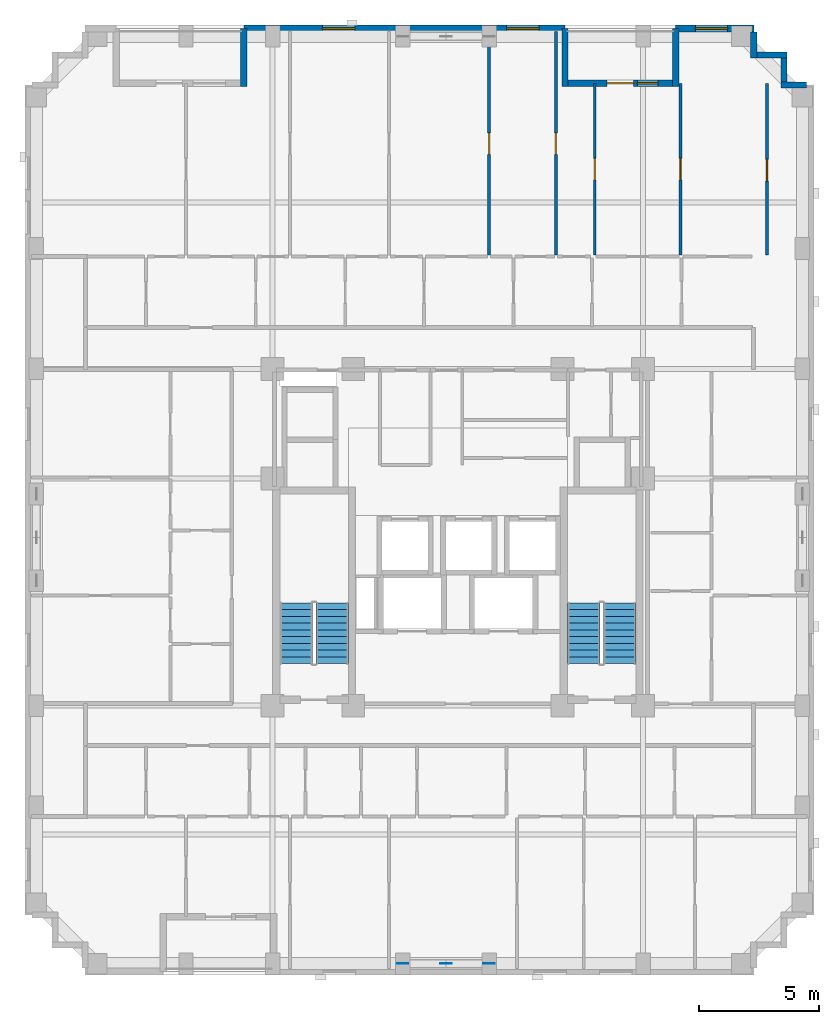
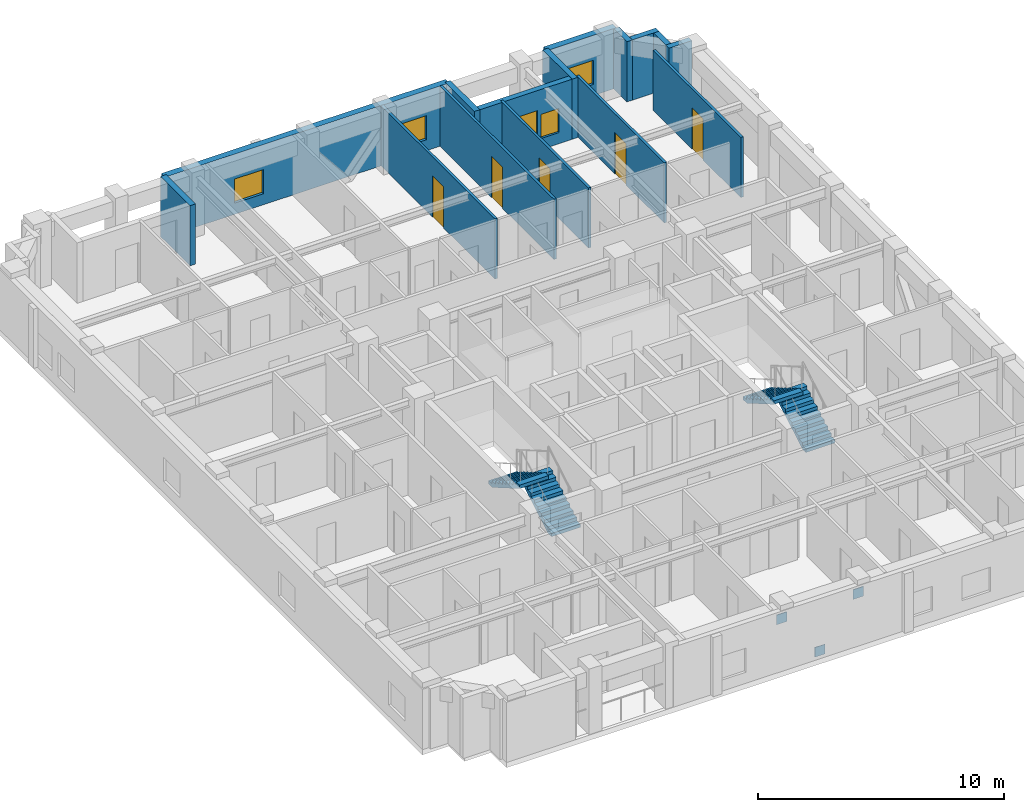
# One storey, part 8 of 11: 15 walls, 6 doors, 4 stair flights, 4 windows, 3 discrete accessories, 10 openings, 2 elements without a shape of their own.
"""IFC4 building model written with IfcOpenShell, lengths in metres."""

from ifc_helpers import new_model, si_unit, derived_unit, direction, frame, frame_2d, origin, origin_2d, place, context, subcontext, project, spatial, polyline, rectangle, outline, extrude, material, layer, layer_set, type_object, element, fill, aggregate, save


model = new_model("IFC4")

# Units and contexts
model_context = context("Model", 3, precision=1e-05, world=origin(), true_north=direction((0.0, 1.0)))
body_context = subcontext(model_context, "Body", "Model", "MODEL_VIEW")
ifc_project = project(units=[si_unit("LENGTHUNIT", "METRE"), si_unit("AREAUNIT", "SQUARE_METRE"), si_unit("VOLUMEUNIT", "CUBIC_METRE"), si_unit("PLANEANGLEUNIT", "RADIAN"), si_unit("MASSUNIT", "GRAM", prefix="KILO"), derived_unit("THERMALTRANSMITTANCEUNIT", [(si_unit("MASSUNIT", "GRAM", prefix="KILO"), 1), (si_unit("TIMEUNIT", "SECOND"), -3), (si_unit("THERMODYNAMICTEMPERATUREUNIT", "KELVIN"), -1)])], contexts=[model_context])

# Site, building, storey
site_placement = place(None, origin())
site = spatial("IfcSite", under=ifc_project, at=site_placement, CompositionType="ELEMENT")
building_placement = place(site_placement, origin())
building = spatial("IfcBuilding", under=site, at=building_placement, Name="Korrvale Station Residences", CompositionType="ELEMENT")
storey_placement = place(building_placement, frame((0.0, 0.0, 150.39990234375)))
storey = spatial("IfcBuildingStorey", under=building, at=storey_placement, Name="L43", CompositionType="ELEMENT", Elevation=150.39990234375)

# Walls
ifc_material_1 = material(Name="Precast concrete C45/55", Category="concrete")
ifc_layer_1 = layer(ifc_material_1, 0.260009765625, Name="Precast concrete C45/55")
ifc_layer_set_1 = layer_set([ifc_layer_1], Name="Precast concrete C45/55")
wall_type_1 = type_object("IfcWallType", Name="WAL-EXT-LOG260", PredefinedType="SOLIDWALL", material=ifc_layer_set_1)
for number, where, z_axis, x_axis, name in (
    (1, (16.60009765625, 40.739990234375, 0.0), (0.0, 0.0, 1.0), (0.0, 1.0, 0.0), "L43 Recessed Loggia Wall BAL-L43-N2-R"),
    (2, (29.949951171875, 43.139892578125, 0.0), (0.0, 0.0, 1.0), (0.0, -1.0, 0.0), "L43 Recessed Loggia Wall BAL-L43-N1-L"),
):
    element("IfcWall", number, at=place(storey_placement, frame(where, z_axis=z_axis, x_axis=x_axis)), inside=storey, type_object=wall_type_1, Name=name, PredefinedType="SOLIDWALL", context=body_context, shape_type="SweptSolid", body=[
        extrude(rectangle(XDim=2.39990234375, YDim=0.260009765625, at=frame_2d((1.199951171875, 0.0))), origin(), (0.0, 0.0, 1.0), 2.989990234375),
    ])

# Wall, openings, door, window
wall_1_placement = place(storey_placement, frame((30.083984375, 40.8701171875, 0.0), z_axis=(0.0, 0.0, 1.0), x_axis=(1.0, 0.0, 0.0)))
wall_1 = element("IfcWall", 3, at=wall_1_placement, inside=storey, type_object=wall_type_1, Name="L43 Recessed Loggia Wall BAL-L43-N1-B", PredefinedType="SOLIDWALL", context=body_context, shape_type="SweptSolid", body=[
    extrude(rectangle(XDim=4.33203125, YDim=0.260009765625, at=frame_2d((2.166015625, 0.0))), origin(), (0.0, 0.0, 1.0), 2.989990234375),
])
opening_1_placement = place(wall_1_placement, frame((1.615966796875, 0.0, 0.0)))
opening_1 = element("IfcOpeningElement", 4, at=opening_1_placement, cuts=wall_1, Name="Opening BD-01", PredefinedType="OPENING", context=body_context, shape_type="SweptSolid", body=[
    extrude(rectangle(XDim=1.10009765625, YDim=2.0, at=frame_2d((0.550048828125, 1.0))), frame((0.0, 0.14013671875, 0.0), z_axis=(0.0, -1.0, 0.0), x_axis=(1.0, 0.0, 0.0)), (0.0, 0.0, 1.0), 0.280029296875),
])
opening_2_placement = place(wall_1_placement, frame((2.8759765625, 0.0, 0.550048828125)))
opening_2 = element("IfcOpeningElement", 5, at=opening_2_placement, cuts=wall_1, Name="Opening W-11", PredefinedType="OPENING", context=body_context, shape_type="SweptSolid", body=[
    extrude(rectangle(XDim=0.85009765625, YDim=1.199951171875, at=frame_2d((0.425048828125, 0.60009765625))), frame((0.0, 0.14013671875, 0.0), z_axis=(0.0, -1.0, 0.0), x_axis=(1.0, 0.0, 0.0)), (0.0, 0.0, 1.0), 0.280029296875),
])
ifc_material_2 = material(Name="Exterior thermally broken aluminium glazed balcony door", Category="aluminium")
door_type_1 = type_object("IfcDoorType", Name="DR-EXT-BAL", OperationType="NOTDEFINED", PredefinedType="DOOR", material=ifc_material_2)
door_1_placement = place(opening_1_placement, origin())
door_1 = element("IfcDoor", 6, at=door_1_placement, inside=storey, type_object=door_type_1, Name="L43 Loggia Balcony Door BAL-L43-N1", OperationType="SINGLE_SWING_LEFT", OverallHeight=2.0, OverallWidth=1.10009765625, PredefinedType="DOOR", context=body_context, shape_type="SweptSolid", body=[
    extrude(rectangle(XDim=1.10009765625, YDim=2.0, at=frame_2d((0.550048828125, 1.0))), frame((0.0, 0.02490234375, 0.0), z_axis=(0.0, -1.0, 0.0), x_axis=(1.0, 0.0, 0.0)), (0.0, 0.0, 1.0), 0.050048828125),
])
fill(opening_1, door_1)
ifc_material_3 = material(Name="Thermally broken aluminium frame with triple low-e glazing", Category="aluminium")
window_type_1 = type_object("IfcWindowType", Name="WIN-W11", PartitioningType="SINGLE_PANEL", PredefinedType="WINDOW", material=ifc_material_3)
window_1_placement = place(opening_2_placement, origin())
window_1 = element("IfcWindow", 7, at=window_1_placement, inside=storey, type_object=window_type_1, Name="L43 Punched Window 12", OverallHeight=1.199951171875, OverallWidth=0.85009765625, PartitioningType="SINGLE_PANEL", PredefinedType="WINDOW", context=body_context, shape_type="SweptSolid", body=[
    extrude(rectangle(XDim=0.85009765625, YDim=1.199951171875, at=frame_2d((0.425048828125, 0.60009765625))), frame((0.0, 0.030029296875, 0.0), z_axis=(0.0, -1.0, 0.0), x_axis=(1.0, 0.0, 0.0)), (0.0, 0.0, 1.0), 0.06005859375),
])
fill(opening_2, window_1)

# Walls
wall_2_placement = place(storey_placement, frame((34.550048828125, 40.739990234375, 0.0), z_axis=(0.0, 0.0, 1.0), x_axis=(0.0, 1.0, 0.0)))
element("IfcWall", 8, at=wall_2_placement, inside=storey, type_object=wall_type_1, Name="L43 Recessed Loggia Wall BAL-L43-N1-R", PredefinedType="SOLIDWALL", context=body_context, shape_type="SweptSolid", body=[
    extrude(rectangle(XDim=2.39990234375, YDim=0.260009765625, at=frame_2d((1.199951171875, 0.0))), origin(), (0.0, 0.0, 1.0), 2.989990234375),
])
wall_3_placement = place(storey_placement, frame((37.800048828125, 42.998046875, 0.0), z_axis=(0.0, 0.0, 1.0), x_axis=(0.0, -1.0, 0.0)))
element("IfcWall", 9, at=wall_3_placement, inside=storey, type_object=wall_type_1, Name="L43 Serrated Corner Precast Step NE-1", PredefinedType="SOLIDWALL", context=body_context, shape_type="SweptSolid", body=[
    extrude(rectangle(XDim=1.078125, YDim=0.260009765625, at=frame_2d((0.5390625, 0.0))), origin(), (0.0, 0.0, 1.0), 2.989990234375),
])
wall_4_placement = place(storey_placement, frame((37.931884765625, 42.050048828125, 0.0), z_axis=(0.0, 0.0, 1.0), x_axis=(1.0, 0.0, 0.0)))
element("IfcWall", 10, at=wall_4_placement, inside=storey, type_object=wall_type_1, Name="L43 Serrated Corner Precast Step NE-2", PredefinedType="SOLIDWALL", context=body_context, shape_type="SweptSolid", body=[
    extrude(rectangle(XDim=1.248046875, YDim=0.260009765625, at=frame_2d((0.6240234375, 0.0))), origin(), (0.0, 0.0, 1.0), 2.989990234375),
])
wall_5_placement = place(storey_placement, frame((39.050048828125, 41.91796875, 0.0), z_axis=(0.0, 0.0, 1.0), x_axis=(0.0, -1.0, 0.0)))
element("IfcWall", 11, at=wall_5_placement, inside=storey, type_object=wall_type_1, Name="L43 Serrated Corner Precast Step NE-3", PredefinedType="SOLIDWALL", context=body_context, shape_type="SweptSolid", body=[
    extrude(rectangle(XDim=0.986083984375, YDim=0.260009765625, at=frame_2d((0.4931640625, 0.0))), origin(), (0.0, 0.0, 1.0), 2.989990234375),
])
wall_6_placement = place(storey_placement, frame((38.919921875, 40.800048828125, 0.0), z_axis=(0.0, 0.0, 1.0), x_axis=(1.0, 0.0, 0.0)))
element("IfcWall", 12, at=wall_6_placement, inside=storey, type_object=wall_type_1, Name="L43 Serrated Corner Precast Step NE-4", PredefinedType="SOLIDWALL", context=body_context, shape_type="SweptSolid", body=[
    extrude(rectangle(XDim=1.078125, YDim=0.260009765625, at=frame_2d((0.5390625, 0.0))), origin(), (0.0, 0.0, 1.0), 2.989990234375),
])

# Wall, openings, windows
ifc_layer_2 = layer(ifc_material_1, 0.300048828125, Name="Precast concrete C45/55")
ifc_layer_set_2 = layer_set([ifc_layer_2], Name="Precast concrete C45/55")
wall_type_2 = type_object("IfcWallType", Name="WAL-EXT-PC300", PredefinedType="SOLIDWALL", material=ifc_layer_set_2)
wall_7_placement = place(storey_placement, frame((16.60009765625, 43.14990234375, 0.0), z_axis=(0.0, 0.0, 1.0), x_axis=(1.0, 0.0, 0.0)))
wall_7 = element("IfcWall", 13, at=wall_7_placement, inside=storey, type_object=wall_type_2, Name="L43 North Exterior Precast Wall 2", PredefinedType="SOLIDWALL", context=body_context, shape_type="SweptSolid", body=[
    extrude(rectangle(XDim=13.349853515625, YDim=0.300048828125, at=frame_2d((6.6748046875, 0.0))), origin(), (0.0, 0.0, 1.0), 2.989990234375),
])
opening_3_placement = place(wall_7_placement, frame((3.26904296875, 0.0, 0.550048828125)))
opening_3 = element("IfcOpeningElement", 14, at=opening_3_placement, cuts=wall_7, Name="Opening W-10", PredefinedType="OPENING", context=body_context, shape_type="SweptSolid", body=[
    extrude(rectangle(XDim=1.35009765625, YDim=1.199951171875, at=frame_2d((0.675048828125, 0.60009765625))), frame((0.0, 0.16015625, 0.0), z_axis=(0.0, -1.0, 0.0), x_axis=(1.0, 0.0, 0.0)), (0.0, 0.0, 1.0), 0.320068359375),
])
opening_4_placement = place(wall_7_placement, frame((10.929931640625, 0.0, 0.550048828125)))
opening_4 = element("IfcOpeningElement", 15, at=opening_4_placement, cuts=wall_7, Name="Opening W-10", PredefinedType="OPENING", context=body_context, shape_type="SweptSolid", body=[
    extrude(rectangle(XDim=1.35009765625, YDim=1.199951171875, at=frame_2d((0.675048828125, 0.60009765625))), frame((0.0, 0.16015625, 0.0), z_axis=(0.0, -1.0, 0.0), x_axis=(1.0, 0.0, 0.0)), (0.0, 0.0, 1.0), 0.320068359375),
])
window_type_2 = type_object("IfcWindowType", Name="WIN-W10", PartitioningType="SINGLE_PANEL", PredefinedType="WINDOW", material=ifc_material_3)
window_2_placement = place(opening_3_placement, origin())
window_2 = element("IfcWindow", 16, at=window_2_placement, inside=storey, type_object=window_type_2, Name="L43 Punched Window 10", OverallHeight=1.199951171875, OverallWidth=1.35009765625, PartitioningType="SINGLE_PANEL", PredefinedType="WINDOW", context=body_context, shape_type="SweptSolid", body=[
    extrude(rectangle(XDim=1.35009765625, YDim=1.199951171875, at=frame_2d((0.675048828125, 0.60009765625))), frame((0.0, 0.030029296875, 0.0), z_axis=(0.0, -1.0, 0.0), x_axis=(1.0, 0.0, 0.0)), (0.0, 0.0, 1.0), 0.06005859375),
])
fill(opening_3, window_2)
window_3_placement = place(opening_4_placement, origin())
window_3 = element("IfcWindow", 17, at=window_3_placement, inside=storey, type_object=window_type_2, Name="L43 Punched Window 11", OverallHeight=1.199951171875, OverallWidth=1.35009765625, PartitioningType="SINGLE_PANEL", PredefinedType="WINDOW", context=body_context, shape_type="SweptSolid", body=[
    extrude(rectangle(XDim=1.35009765625, YDim=1.199951171875, at=frame_2d((0.675048828125, 0.60009765625))), frame((0.0, 0.030029296875, 0.0), z_axis=(0.0, -1.0, 0.0), x_axis=(1.0, 0.0, 0.0)), (0.0, 0.0, 1.0), 0.06005859375),
])
fill(opening_4, window_3)

# Wall, opening, window
wall_8_placement = place(storey_placement, frame((34.550048828125, 43.14990234375, 0.0), z_axis=(0.0, 0.0, 1.0), x_axis=(1.0, 0.0, 0.0)))
wall_8 = element("IfcWall", 18, at=wall_8_placement, inside=storey, type_object=wall_type_2, Name="L43 North Exterior Precast Wall 3", PredefinedType="SOLIDWALL", context=body_context, shape_type="SweptSolid", body=[
    extrude(rectangle(XDim=3.25, YDim=0.300048828125, at=frame_2d((1.625, 0.0))), origin(), (0.0, 0.0, 1.0), 2.989990234375),
])
opening_5_placement = place(wall_8_placement, frame((0.81494140625, 0.0, 0.550048828125)))
opening_5 = element("IfcOpeningElement", 19, at=opening_5_placement, cuts=wall_8, Name="Opening W-10", PredefinedType="OPENING", context=body_context, shape_type="SweptSolid", body=[
    extrude(rectangle(XDim=1.35009765625, YDim=1.199951171875, at=frame_2d((0.675048828125, 0.60009765625))), frame((0.0, 0.16015625, 0.0), z_axis=(0.0, -1.0, 0.0), x_axis=(1.0, 0.0, 0.0)), (0.0, 0.0, 1.0), 0.320068359375),
])
window_4_placement = place(opening_5_placement, origin())
window_4 = element("IfcWindow", 20, at=window_4_placement, inside=storey, type_object=window_type_2, Name="L43 Punched Window 13", OverallHeight=1.199951171875, OverallWidth=1.35009765625, PartitioningType="SINGLE_PANEL", PredefinedType="WINDOW", context=body_context, shape_type="SweptSolid", body=[
    extrude(rectangle(XDim=1.35009765625, YDim=1.199951171875, at=frame_2d((0.675048828125, 0.60009765625))), frame((0.0, 0.030029296875, 0.0), z_axis=(0.0, -1.0, 0.0), x_axis=(1.0, 0.0, 0.0)), (0.0, 0.0, 1.0), 0.06005859375),
])
fill(opening_5, window_4)

# Wall, opening, door
ifc_material_4 = material(Name="Acoustic steel-stud gypsum board partition", Category="steel")
ifc_layer_3 = layer(ifc_material_4, 0.1201171875, Name="Acoustic steel-stud gypsum board partition")
ifc_layer_set_3 = layer_set([ifc_layer_3], Name="Acoustic steel-stud gypsum board partition")
wall_type_3 = type_object("IfcWallType", Name="WAL-PART-125", PredefinedType="PARTITIONING", material=ifc_layer_set_3)
wall_9_placement = place(storey_placement, frame((26.800048828125, 33.72998046875, 0.0), z_axis=(0.0, 0.0, 1.0), x_axis=(0.0, 1.0, 0.0)))
wall_9 = element("IfcWall", 21, at=wall_9_placement, inside=storey, type_object=wall_type_3, Name="L43 Suite Partition U02-V1112", PredefinedType="PARTITIONING", context=body_context, shape_type="SweptSolid", body=[
    extrude(rectangle(XDim=9.2900390625, YDim=0.1201171875, at=frame_2d((4.64501953125, 0.0))), origin(), (0.0, 0.0, 1.0), 2.989990234375),
])
opening_6_placement = place(wall_9_placement, frame((4.179931640625, 0.0, 0.0)))
opening_6 = element("IfcOpeningElement", 22, at=opening_6_placement, cuts=wall_9, Name="Opening DI-900", PredefinedType="OPENING", context=body_context, shape_type="SweptSolid", body=[
    extrude(rectangle(XDim=0.89990234375, YDim=2.050048828125, at=frame_2d((0.449951171875, 1.02490234375))), frame((0.0, 0.070068359375, 0.0), z_axis=(0.0, -1.0, 0.0), x_axis=(1.0, 0.0, 0.0)), (0.0, 0.0, 1.0), 0.14013671875),
])
ifc_material_5 = material(Name="Painted solid-core timber interior room door", Category="wood")
door_type_2 = type_object("IfcDoorType", Name="DR-INT-900", OperationType="NOTDEFINED", PredefinedType="DOOR", material=ifc_material_5)
door_2_placement = place(opening_6_placement, origin())
door_2 = element("IfcDoor", 23, at=door_2_placement, inside=storey, type_object=door_type_2, Name="L43 Apartment 3BR L43-U02 Wardrobe Storage Room Door", OperationType="SINGLE_SWING_LEFT", OverallHeight=2.050048828125, OverallWidth=0.89990234375, PredefinedType="DOOR", context=body_context, shape_type="SweptSolid", body=[
    extrude(rectangle(XDim=0.89990234375, YDim=2.050048828125, at=frame_2d((0.449951171875, 1.02490234375))), frame((0.0, 0.02490234375, 0.0), z_axis=(0.0, -1.0, 0.0), x_axis=(1.0, 0.0, 0.0)), (0.0, 0.0, 1.0), 0.050048828125),
])
fill(opening_6, door_2)

wall_10_placement = place(storey_placement, frame((29.570068359375, 33.72998046875, 0.0), z_axis=(0.0, 0.0, 1.0), x_axis=(0.0, 1.0, 0.0)))
wall_10 = element("IfcWall", 24, at=wall_10_placement, inside=storey, type_object=wall_type_3, Name="L43 Suite Partition U02-V1213", PredefinedType="PARTITIONING", context=body_context, shape_type="SweptSolid", body=[
    extrude(rectangle(XDim=9.2900390625, YDim=0.1201171875, at=frame_2d((4.64501953125, 0.0))), origin(), (0.0, 0.0, 1.0), 2.989990234375),
])
opening_7_placement = place(wall_10_placement, frame((4.179931640625, 0.0, 0.0)))
opening_7 = element("IfcOpeningElement", 25, at=opening_7_placement, cuts=wall_10, Name="Opening DI-900", PredefinedType="OPENING", context=body_context, shape_type="SweptSolid", body=[
    extrude(rectangle(XDim=0.89990234375, YDim=2.050048828125, at=frame_2d((0.449951171875, 1.02490234375))), frame((0.0, 0.070068359375, 0.0), z_axis=(0.0, -1.0, 0.0), x_axis=(1.0, 0.0, 0.0)), (0.0, 0.0, 1.0), 0.14013671875),
])
door_3_placement = place(opening_7_placement, origin())
door_3 = element("IfcDoor", 26, at=door_3_placement, inside=storey, type_object=door_type_2, Name="L43 Apartment 3BR L43-U02 Bedroom 1 Door", OperationType="SINGLE_SWING_RIGHT", OverallHeight=2.050048828125, OverallWidth=0.89990234375, PredefinedType="DOOR", context=body_context, shape_type="SweptSolid", body=[
    extrude(rectangle(XDim=0.89990234375, YDim=2.050048828125, at=frame_2d((0.449951171875, 1.02490234375))), frame((0.0, 0.02490234375, 0.0), z_axis=(0.0, -1.0, 0.0), x_axis=(1.0, 0.0, 0.0)), (0.0, 0.0, 1.0), 0.050048828125),
])
fill(opening_7, door_3)

wall_11_placement = place(storey_placement, frame((31.18994140625, 33.72998046875, 0.0), z_axis=(0.0, 0.0, 1.0), x_axis=(0.0, 1.0, 0.0)))
wall_11 = element("IfcWall", 27, at=wall_11_placement, inside=storey, type_object=wall_type_3, Name="L43 Suite Partition U02-V1314", PredefinedType="PARTITIONING", context=body_context, shape_type="SweptSolid", body=[
    extrude(rectangle(XDim=7.14013671875, YDim=0.1201171875, at=frame_2d((3.570068359375, 0.0))), origin(), (0.0, 0.0, 1.0), 2.989990234375),
])
opening_8_placement = place(wall_11_placement, frame((3.1201171875, 0.0, 0.0)))
opening_8 = element("IfcOpeningElement", 28, at=opening_8_placement, cuts=wall_11, Name="Opening DI-900", PredefinedType="OPENING", context=body_context, shape_type="SweptSolid", body=[
    extrude(rectangle(XDim=0.89990234375, YDim=2.050048828125, at=frame_2d((0.449951171875, 1.02490234375))), frame((0.0, 0.070068359375, 0.0), z_axis=(0.0, -1.0, 0.0), x_axis=(1.0, 0.0, 0.0)), (0.0, 0.0, 1.0), 0.14013671875),
])
door_4_placement = place(opening_8_placement, origin())
door_4 = element("IfcDoor", 29, at=door_4_placement, inside=storey, type_object=door_type_2, Name="L43 Apartment 3BR L43-U02 Dressing Closet 1 Door", OperationType="SINGLE_SWING_LEFT", OverallHeight=2.050048828125, OverallWidth=0.89990234375, PredefinedType="DOOR", context=body_context, shape_type="SweptSolid", body=[
    extrude(rectangle(XDim=0.89990234375, YDim=2.050048828125, at=frame_2d((0.449951171875, 1.02490234375))), frame((0.0, 0.02490234375, 0.0), z_axis=(0.0, -1.0, 0.0), x_axis=(1.0, 0.0, 0.0)), (0.0, 0.0, 1.0), 0.050048828125),
])
fill(opening_8, door_4)

wall_12_placement = place(storey_placement, frame((34.75, 33.72998046875, 0.0), z_axis=(0.0, 0.0, 1.0), x_axis=(0.0, 1.0, 0.0)))
wall_12 = element("IfcWall", 30, at=wall_12_placement, inside=storey, type_object=wall_type_3, Name="L43 Suite Partition U02-V1415", PredefinedType="PARTITIONING", context=body_context, shape_type="SweptSolid", body=[
    extrude(rectangle(XDim=7.14013671875, YDim=0.1201171875, at=frame_2d((3.570068359375, 0.0))), origin(), (0.0, 0.0, 1.0), 2.989990234375),
])
opening_9_placement = place(wall_12_placement, frame((3.1201171875, 0.0, 0.0)))
opening_9 = element("IfcOpeningElement", 31, at=opening_9_placement, cuts=wall_12, Name="Opening DI-900", PredefinedType="OPENING", context=body_context, shape_type="SweptSolid", body=[
    extrude(rectangle(XDim=0.89990234375, YDim=2.050048828125, at=frame_2d((0.449951171875, 1.02490234375))), frame((0.0, 0.070068359375, 0.0), z_axis=(0.0, -1.0, 0.0), x_axis=(1.0, 0.0, 0.0)), (0.0, 0.0, 1.0), 0.14013671875),
])
door_5_placement = place(opening_9_placement, origin())
door_5 = element("IfcDoor", 32, at=door_5_placement, inside=storey, type_object=door_type_2, Name="L43 Apartment 3BR L43-U02 Bedroom 2 Door", OperationType="SINGLE_SWING_RIGHT", OverallHeight=2.050048828125, OverallWidth=0.89990234375, PredefinedType="DOOR", context=body_context, shape_type="SweptSolid", body=[
    extrude(rectangle(XDim=0.89990234375, YDim=2.050048828125, at=frame_2d((0.449951171875, 1.02490234375))), frame((0.0, 0.02490234375, 0.0), z_axis=(0.0, -1.0, 0.0), x_axis=(1.0, 0.0, 0.0)), (0.0, 0.0, 1.0), 0.050048828125),
])
fill(opening_9, door_5)

wall_13_placement = place(storey_placement, frame((38.35009765625, 33.72998046875, 0.0), z_axis=(0.0, 0.0, 1.0), x_axis=(0.0, 1.0, 0.0)))
wall_13 = element("IfcWall", 33, at=wall_13_placement, inside=storey, type_object=wall_type_3, Name="L43 Suite Partition U02-V1516", PredefinedType="PARTITIONING", context=body_context, shape_type="SweptSolid", body=[
    extrude(rectangle(XDim=7.14013671875, YDim=0.1201171875, at=frame_2d((3.570068359375, 0.0))), origin(), (0.0, 0.0, 1.0), 2.989990234375),
])
opening_10_placement = place(wall_13_placement, frame((3.074951171875, 0.0, 0.0)))
opening_10 = element("IfcOpeningElement", 34, at=opening_10_placement, cuts=wall_13, Name="Opening DI-900", PredefinedType="OPENING", context=body_context, shape_type="SweptSolid", body=[
    extrude(rectangle(XDim=0.89990234375, YDim=2.050048828125, at=frame_2d((0.449951171875, 1.02490234375))), frame((0.0, 0.070068359375, 0.0), z_axis=(0.0, -1.0, 0.0), x_axis=(1.0, 0.0, 0.0)), (0.0, 0.0, 1.0), 0.14013671875),
])
door_6_placement = place(opening_10_placement, origin())
door_6 = element("IfcDoor", 35, at=door_6_placement, inside=storey, type_object=door_type_2, Name="L43 Apartment 3BR L43-U02 Bedroom 3 Door", OperationType="SINGLE_SWING_LEFT", OverallHeight=2.050048828125, OverallWidth=0.89990234375, PredefinedType="DOOR", context=body_context, shape_type="SweptSolid", body=[
    extrude(rectangle(XDim=0.89990234375, YDim=2.050048828125, at=frame_2d((0.449951171875, 1.02490234375))), frame((0.0, 0.02490234375, 0.0), z_axis=(0.0, -1.0, 0.0), x_axis=(1.0, 0.0, 0.0)), (0.0, 0.0, 1.0), 0.050048828125),
])
fill(opening_10, door_6)

# Stair, stair flights
ifc_material_6 = material(Name="Concrete C50/60", Category="concrete")
stair_type = type_object("IfcStairType", Name="STR-DL-1350-20R-1625", PredefinedType="HALF_TURN_STAIR", material=ifc_material_6)
stair_1_placement = place(storey_placement, origin())
stair_1 = element("IfcStair", 36, at=stair_1_placement, inside=storey, type_object=stair_type, Name="L43 Exit Stair 1", PredefinedType="HALF_TURN_STAIR")
stair_flight_type = type_object("IfcStairFlightType", Name="FLT-DL-1350-20R-1625", PredefinedType="STRAIGHT", material=ifc_material_6)
stair_flight_1_placement = place(storey_placement, frame((20.27490234375, 16.75, 0.0), z_axis=(0.0, 0.0, 1.0), x_axis=(0.0, 1.0, 0.0)))
stair_flight_1 = element("IfcStairFlight", 37, at=stair_flight_1_placement, type_object=stair_flight_type, Name="ST-1 flight 1", NumberOfRisers=10, NumberOfTreads=9, PredefinedType="STRAIGHT", RiserHeight=0.1625, TreadLength=0.28, context=body_context, shape_type="SweptSolid", body=[
    extrude(outline(polyline([(0.0, 0.0), (0.0, 0.16259765625), (0.280029296875, 0.16259765625), (0.280029296875, 0.324951171875), (0.56005859375, 0.324951171875), (0.56005859375, 0.487548828125), (0.840087890625, 0.487548828125), (0.840087890625, 0.64990234375), (1.1201171875, 0.64990234375), (1.1201171875, 0.8125), (1.39990234375, 0.8125), (1.39990234375, 0.97509765625), (1.679931640625, 0.97509765625), (1.679931640625, 1.137451171875), (1.9599609375, 1.137451171875), (1.9599609375, 1.300048828125), (2.239990234375, 1.300048828125), (2.239990234375, 1.46240234375), (2.52001953125, 1.46240234375), (2.52001953125, 1.625), (2.52001953125, 1.2890625), (0.298583984375, 0.0), (0.0, 0.0)])), frame((0.0, 0.675048828125, 0.0), z_axis=(0.0, -1.0, 0.0), x_axis=(1.0, 0.0, 0.0)), (0.0, 0.0, 1.0), 1.35009765625),
])
stair_flight_2_placement = place(storey_placement, frame((18.77490234375, 19.27001953125, 1.625), z_axis=(0.0, 0.0, 1.0), x_axis=(0.0, -1.0, 0.0)))
stair_flight_2 = element("IfcStairFlight", 38, at=stair_flight_2_placement, type_object=stair_flight_type, Name="ST-1 flight 2", NumberOfRisers=10, NumberOfTreads=9, PredefinedType="STRAIGHT", RiserHeight=0.1625, TreadLength=0.28, context=body_context, shape_type="SweptSolid", body=[
    extrude(outline(polyline([(0.0, 0.0), (0.0, 0.16259765625), (0.280029296875, 0.16259765625), (0.280029296875, 0.324951171875), (0.56005859375, 0.324951171875), (0.56005859375, 0.487548828125), (0.840087890625, 0.487548828125), (0.840087890625, 0.64990234375), (1.1201171875, 0.64990234375), (1.1201171875, 0.8125), (1.39990234375, 0.8125), (1.39990234375, 0.97509765625), (1.679931640625, 0.97509765625), (1.679931640625, 1.137451171875), (1.9599609375, 1.137451171875), (1.9599609375, 1.300048828125), (2.239990234375, 1.300048828125), (2.239990234375, 1.46240234375), (2.52001953125, 1.46240234375), (2.52001953125, 1.625), (2.52001953125, 1.2890625), (0.298583984375, 0.0), (0.0, 0.0)])), frame((0.0, 0.675048828125, 0.0), z_axis=(0.0, -1.0, 0.0), x_axis=(1.0, 0.0, 0.0)), (0.0, 0.0, 1.0), 1.35009765625),
])
aggregate(stair_1, [stair_flight_1, stair_flight_2])

stair_2_placement = place(storey_placement, origin())
stair_2 = element("IfcStair", 39, at=stair_2_placement, inside=storey, type_object=stair_type, Name="L43 Exit Stair 2", PredefinedType="HALF_TURN_STAIR")
stair_flight_3_placement = place(storey_placement, frame((32.22509765625, 16.75, 0.0), z_axis=(0.0, 0.0, 1.0), x_axis=(0.0, 1.0, 0.0)))
stair_flight_3 = element("IfcStairFlight", 40, at=stair_flight_3_placement, type_object=stair_flight_type, Name="ST-2 flight 1", NumberOfRisers=10, NumberOfTreads=9, PredefinedType="STRAIGHT", RiserHeight=0.1625, TreadLength=0.28, context=body_context, shape_type="SweptSolid", body=[
    extrude(outline(polyline([(0.0, 0.0), (0.0, 0.16259765625), (0.280029296875, 0.16259765625), (0.280029296875, 0.324951171875), (0.56005859375, 0.324951171875), (0.56005859375, 0.487548828125), (0.840087890625, 0.487548828125), (0.840087890625, 0.64990234375), (1.1201171875, 0.64990234375), (1.1201171875, 0.8125), (1.39990234375, 0.8125), (1.39990234375, 0.97509765625), (1.679931640625, 0.97509765625), (1.679931640625, 1.137451171875), (1.9599609375, 1.137451171875), (1.9599609375, 1.300048828125), (2.239990234375, 1.300048828125), (2.239990234375, 1.46240234375), (2.52001953125, 1.46240234375), (2.52001953125, 1.625), (2.52001953125, 1.2890625), (0.298583984375, 0.0), (0.0, 0.0)])), frame((0.0, 0.675048828125, 0.0), z_axis=(0.0, -1.0, 0.0), x_axis=(1.0, 0.0, 0.0)), (0.0, 0.0, 1.0), 1.35009765625),
])
stair_flight_4_placement = place(storey_placement, frame((30.72509765625, 19.27001953125, 1.625), z_axis=(0.0, 0.0, 1.0), x_axis=(0.0, -1.0, 0.0)))
stair_flight_4 = element("IfcStairFlight", 41, at=stair_flight_4_placement, type_object=stair_flight_type, Name="ST-2 flight 2", NumberOfRisers=10, NumberOfTreads=9, PredefinedType="STRAIGHT", RiserHeight=0.1625, TreadLength=0.28, context=body_context, shape_type="SweptSolid", body=[
    extrude(outline(polyline([(0.0, 0.0), (0.0, 0.16259765625), (0.280029296875, 0.16259765625), (0.280029296875, 0.324951171875), (0.56005859375, 0.324951171875), (0.56005859375, 0.487548828125), (0.840087890625, 0.487548828125), (0.840087890625, 0.64990234375), (1.1201171875, 0.64990234375), (1.1201171875, 0.8125), (1.39990234375, 0.8125), (1.39990234375, 0.97509765625), (1.679931640625, 0.97509765625), (1.679931640625, 1.137451171875), (1.9599609375, 1.137451171875), (1.9599609375, 1.300048828125), (2.239990234375, 1.300048828125), (2.239990234375, 1.46240234375), (2.52001953125, 1.46240234375), (2.52001953125, 1.625), (2.52001953125, 1.2890625), (0.298583984375, 0.0), (0.0, 0.0)])), frame((0.0, 0.675048828125, 0.0), z_axis=(0.0, -1.0, 0.0), x_axis=(1.0, 0.0, 0.0)), (0.0, 0.0, 1.0), 1.35009765625),
])
aggregate(stair_2, [stair_flight_3, stair_flight_4])

# Discrete accessories
ifc_material_7 = material(Name="Steel S355", Category="steel")
ifc_layer_4 = layer(ifc_material_7, 0.02490234375, Name="Steel S355")
ifc_layer_set_4 = layer_set([ifc_layer_4], Name="Steel S355")
discrete_accessory_type = type_object("IfcDiscreteAccessoryType", Name="ACC-GUSSET-25", PredefinedType="BRACKET", material=ifc_layer_set_4)
for number, where, z_axis, x_axis, name in (
    (42, (25.0, 4.280029296875, -0.219970703125), (0.0, 0.0, 1.0), (1.0, 0.0, 0.0), "L43 S Brace End Gusset Connection M"),
    (43, (23.199951171875, 4.280029296875, 2.02001953125), (0.0, 0.0, 1.0), (1.0, 0.0, 0.0), "L43 S Brace End Gusset Connection A"),
    (44, (26.800048828125, 4.280029296875, 2.02001953125), (0.0, 0.0, 1.0), (1.0, 0.0, 0.0), "L43 S Brace End Gusset Connection B"),
):
    element("IfcDiscreteAccessory", number, at=place(storey_placement, frame(where, z_axis=z_axis, x_axis=x_axis)), inside=storey, type_object=discrete_accessory_type, Name=name, PredefinedType="BRACKET", context=body_context, shape_type="SweptSolid", body=[
        extrude(rectangle(XDim=0.47998046875, YDim=0.02490234375, at=origin_2d()), origin(), (0.0, 0.0, 1.0), 0.47998046875),
    ])

save(model, "model.ifc")
